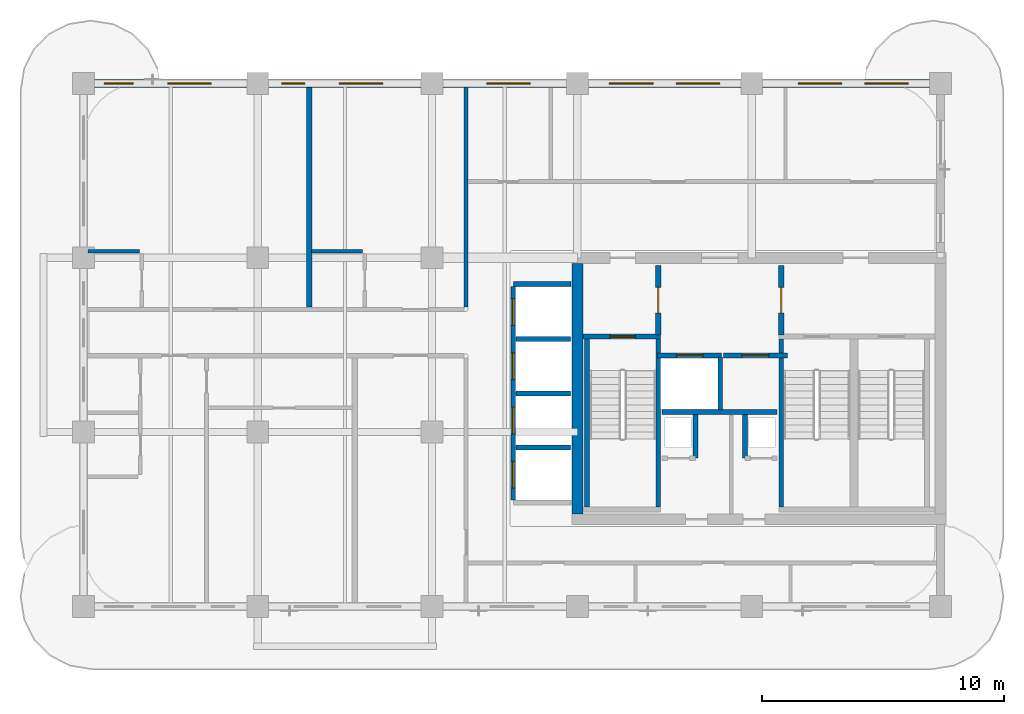
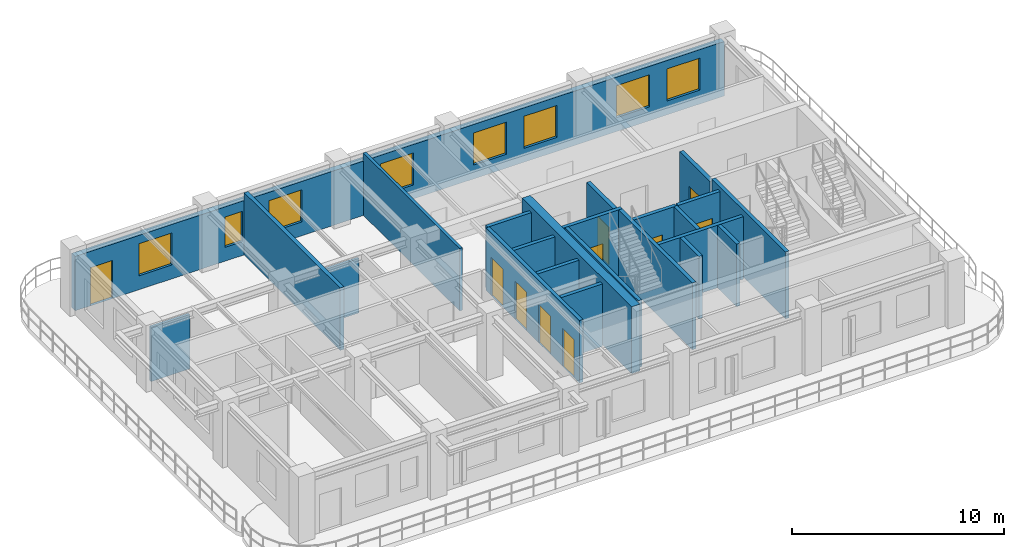
# One storey, part 4 of 7: 23 walls, 10 doors, 8 windows, 18 openings.
"""IFC4 building model written with IfcOpenShell, lengths in metres."""

from ifc_helpers import new_model, si_unit, derived_unit, direction, frame, frame_2d, origin, place, context, subcontext, project, spatial, rectangle, extrude, source, transform, mapped, material, layer, layer_set, type_object, type_shapes, element, fill, save


model = new_model("IFC4")

# Units and contexts
model_context = context("Model", 3, precision=1e-05, world=origin(), true_north=direction((0.0, 1.0)))
body_context = subcontext(model_context, "Body", "Model", "MODEL_VIEW")
ifc_project = project(units=[si_unit("LENGTHUNIT", "METRE"), si_unit("AREAUNIT", "SQUARE_METRE"), si_unit("VOLUMEUNIT", "CUBIC_METRE"), si_unit("PLANEANGLEUNIT", "RADIAN"), si_unit("MASSUNIT", "GRAM", prefix="KILO"), si_unit("THERMODYNAMICTEMPERATUREUNIT", "KELVIN"), si_unit("POWERUNIT", "WATT"), derived_unit("THERMALTRANSMITTANCEUNIT", [(si_unit("POWERUNIT", "WATT"), 1), (si_unit("AREAUNIT", "SQUARE_METRE"), -1), (si_unit("THERMODYNAMICTEMPERATUREUNIT", "KELVIN"), -1)])], contexts=[model_context])

# Site, building, storey
site_placement = place(None, origin())
site = spatial("IfcSite", under=ifc_project, at=site_placement, CompositionType="ELEMENT")
building_placement = place(site_placement, origin())
building = spatial("IfcBuilding", under=site, at=building_placement, Name="Zahravan Archway Hotel and Residences", CompositionType="ELEMENT")
storey_placement = place(building_placement, frame((0.0, 0.0, 240.39990234375)))
storey = spatial("IfcBuildingStorey", under=building, at=storey_placement, Name="L60", CompositionType="ELEMENT", Elevation=240.39990234375)

# Wall
ifc_material_1 = material(Name="Concrete C50/60", Category="concrete")
ifc_layer_1 = layer(ifc_material_1, 0.449951171875, Name="Concrete C50/60", Category="concrete")
ifc_layer_set_1 = layer_set([ifc_layer_1], Name="Concrete C50/60")
wall_type_1 = type_object("IfcWallType", Name="CW-CORE-450", PredefinedType="SHEAR", material=ifc_layer_set_1)
wall_1_placement = place(storey_placement, frame((34.800048828125, 3.824951171875, 0.0), z_axis=(0.0, 0.0, 1.0), x_axis=(0.0, 1.0, 0.0)))
element("IfcWall", 1, at=wall_1_placement, inside=storey, type_object=wall_type_1, Name="L60 Core A Shear W Wall 450 mm", PredefinedType="SHEAR", context=body_context, shape_type="SweptSolid", body=[
    extrude(rectangle(XDim=10.35009765625, YDim=0.449951171875, at=frame_2d((5.175048828125, 0.0))), origin(), (0.0, 0.0, 1.0), 3.85009765625),
])

# Wall, openings, door, windows
ifc_material_2 = material(Name="Agra Buff Sandstone & Insulated Backup", Category="masonry")
ifc_layer_2 = layer(ifc_material_2, 0.320068359375, Name="Agra Buff Sandstone & Insulated Backup", Category="masonry")
ifc_layer_set_2 = layer_set([ifc_layer_2], Name="Agra Buff Sandstone & Insulated Backup")
wall_type_2 = type_object("IfcWallType", Name="EW-SAND-320", PredefinedType="SOLIDWALL", material=ifc_layer_set_2)
wall_2_placement = place(storey_placement, frame((14.39990234375, 21.60009765625, 0.0), z_axis=(0.0, 0.0, 1.0), x_axis=(1.0, 0.0, 0.0)))
wall_2 = element("IfcWall", 2, at=wall_2_placement, inside=storey, type_object=wall_type_2, Name="L60 Exterior Sandstone Wall WA-N", PredefinedType="SOLIDWALL", context=body_context, shape_type="SweptSolid", body=[
    extrude(rectangle(XDim=35.400146484375, YDim=0.320068359375, at=frame_2d((17.7001953125, 0.0))), origin(), (0.0, 0.0, 1.0), 3.135009765625),
])
opening_1_placement = place(wall_2_placement, frame((0.85009765625, 0.0, 0.0)))
opening_1 = element("IfcOpeningElement", 3, at=opening_1_placement, cuts=wall_2, Name="Opening ED-BL1", PredefinedType="OPENING", context=body_context, shape_type="SweptSolid", body=[
    extrude(rectangle(XDim=1.199951171875, YDim=2.199951171875, at=frame_2d((0.60009765625, 1.10009765625))), frame((0.0, 0.169921875, 0.0), z_axis=(0.0, -1.0, 0.0), x_axis=(1.0, 0.0, 0.0)), (0.0, 0.0, 1.0), 0.340087890625),
])
opening_2_placement = place(wall_2_placement, frame((3.47509765625, 0.0, 0.800048828125)))
opening_2 = element("IfcOpeningElement", 4, at=opening_2_placement, cuts=wall_2, Name="Opening W-02", PredefinedType="OPENING", context=body_context, shape_type="SweptSolid", body=[
    extrude(rectangle(XDim=1.800048828125, YDim=1.85009765625, at=frame_2d((0.89990234375, 0.925048828125))), frame((0.0, 0.169921875, 0.0), z_axis=(0.0, -1.0, 0.0), x_axis=(1.0, 0.0, 0.0)), (0.0, 0.0, 1.0), 0.340087890625),
])
opening_3_placement = place(wall_2_placement, frame((8.180908203125, 0.0, 0.800048828125)))
opening_3 = element("IfcOpeningElement", 5, at=opening_3_placement, cuts=wall_2, Name="Opening W-04", PredefinedType="OPENING", context=body_context, shape_type="SweptSolid", body=[
    extrude(rectangle(XDim=0.949951171875, YDim=1.75, at=frame_2d((0.47509765625, 0.875))), frame((0.0, 0.169921875, 0.0), z_axis=(0.0, -1.0, 0.0), x_axis=(1.0, 0.0, 0.0)), (0.0, 0.0, 1.0), 0.340087890625),
])
opening_4_placement = place(wall_2_placement, frame((10.56396484375, 0.0, 0.800048828125)))
opening_4 = element("IfcOpeningElement", 6, at=opening_4_placement, cuts=wall_2, Name="Opening W-02", PredefinedType="OPENING", context=body_context, shape_type="SweptSolid", body=[
    extrude(rectangle(XDim=1.800048828125, YDim=1.85009765625, at=frame_2d((0.89990234375, 0.925048828125))), frame((0.0, 0.169921875, 0.0), z_axis=(0.0, -1.0, 0.0), x_axis=(1.0, 0.0, 0.0)), (0.0, 0.0, 1.0), 0.340087890625),
])
opening_5_placement = place(wall_2_placement, frame((16.65087890625, 0.0, 0.800048828125)))
opening_5 = element("IfcOpeningElement", 7, at=opening_5_placement, cuts=wall_2, Name="Opening W-02", PredefinedType="OPENING", context=body_context, shape_type="SweptSolid", body=[
    extrude(rectangle(XDim=1.800048828125, YDim=1.85009765625, at=frame_2d((0.89990234375, 0.925048828125))), frame((0.0, 0.169921875, 0.0), z_axis=(0.0, -1.0, 0.0), x_axis=(1.0, 0.0, 0.0)), (0.0, 0.0, 1.0), 0.340087890625),
])
opening_6_placement = place(wall_2_placement, frame((21.72509765625, 0.0, 0.800048828125)))
opening_6 = element("IfcOpeningElement", 8, at=opening_6_placement, cuts=wall_2, Name="Opening W-02", PredefinedType="OPENING", context=body_context, shape_type="SweptSolid", body=[
    extrude(rectangle(XDim=1.800048828125, YDim=1.85009765625, at=frame_2d((0.89990234375, 0.925048828125))), frame((0.0, 0.169921875, 0.0), z_axis=(0.0, -1.0, 0.0), x_axis=(1.0, 0.0, 0.0)), (0.0, 0.0, 1.0), 0.340087890625),
])
opening_7_placement = place(wall_2_placement, frame((24.47509765625, 0.0, 0.800048828125)))
opening_7 = element("IfcOpeningElement", 9, at=opening_7_placement, cuts=wall_2, Name="Opening W-02", PredefinedType="OPENING", context=body_context, shape_type="SweptSolid", body=[
    extrude(rectangle(XDim=1.800048828125, YDim=1.85009765625, at=frame_2d((0.89990234375, 0.925048828125))), frame((0.0, 0.169921875, 0.0), z_axis=(0.0, -1.0, 0.0), x_axis=(1.0, 0.0, 0.0)), (0.0, 0.0, 1.0), 0.340087890625),
])
opening_8_placement = place(wall_2_placement, frame((29.531005859375, 0.0, 0.800048828125)))
opening_8 = element("IfcOpeningElement", 10, at=opening_8_placement, cuts=wall_2, Name="Opening W-02", PredefinedType="OPENING", context=body_context, shape_type="SweptSolid", body=[
    extrude(rectangle(XDim=1.800048828125, YDim=1.85009765625, at=frame_2d((0.89990234375, 0.925048828125))), frame((0.0, 0.169921875, 0.0), z_axis=(0.0, -1.0, 0.0), x_axis=(1.0, 0.0, 0.0)), (0.0, 0.0, 1.0), 0.340087890625),
])
opening_9_placement = place(wall_2_placement, frame((32.277099609375, 0.0, 0.800048828125)))
opening_9 = element("IfcOpeningElement", 11, at=opening_9_placement, cuts=wall_2, Name="Opening W-02", PredefinedType="OPENING", context=body_context, shape_type="SweptSolid", body=[
    extrude(rectangle(XDim=1.800048828125, YDim=1.85009765625, at=frame_2d((0.89990234375, 0.925048828125))), frame((0.0, 0.169921875, 0.0), z_axis=(0.0, -1.0, 0.0), x_axis=(1.0, 0.0, 0.0)), (0.0, 0.0, 1.0), 0.340087890625),
])
ifc_material_3 = material(Name="Bronze-Anodized Glazed Aluminium", Category="aluminium")
door_type_1 = type_object("IfcDoorType", Name="ED-BALC-1200", OperationType="SLIDING_TO_LEFT", PredefinedType="DOOR", material=ifc_material_3)
shared_shape_1 = source(origin(), body_context, "Body", "SweptSolid", [
    extrude(rectangle(XDim=1.199951171875, YDim=2.199951171875, at=frame_2d((0.60009765625, 1.10009765625))), frame((0.0, 0.02490234375, 0.0), z_axis=(0.0, -1.0, 0.0), x_axis=(1.0, 0.0, 0.0)), (0.0, 0.0, 1.0), 0.050048828125),
])
type_shapes(door_type_1, [shared_shape_1])
door_1_placement = place(opening_1_placement, origin())
door_1 = element("IfcDoor", 12, at=door_1_placement, inside=storey, type_object=door_type_1, Name="L60 Outdoor Access Sliding Door (SLB-BAL-L60-WA)", OperationType="SLIDING_TO_LEFT", OverallHeight=2.199951171875, OverallWidth=1.199951171875, PredefinedType="DOOR", context=body_context, shape_type="MappedRepresentation", body=[
    mapped(shared_shape_1, transform((0.0, 0.0, 0.0), scale=1.0)),
])
fill(opening_1, door_1)
ifc_material_4 = material(Name="Bronze-Anodized Thermal-Break Aluminium & Low-E Glass", Category="aluminium")
window_type_1 = type_object("IfcWindowType", Name="WIN-NAR-950", PartitioningType="SINGLE_PANEL", PredefinedType="WINDOW", material=ifc_material_4)
shared_shape_2 = source(origin(), body_context, "Body", "SweptSolid", [
    extrude(rectangle(XDim=0.949951171875, YDim=1.75, at=frame_2d((0.47509765625, 0.875))), frame((0.0, 0.030029296875, 0.0), z_axis=(0.0, -1.0, 0.0), x_axis=(1.0, 0.0, 0.0)), (0.0, 0.0, 1.0), 0.06005859375),
])
type_shapes(window_type_1, [shared_shape_2])
window_1_placement = place(opening_3_placement, origin())
window_1 = element("IfcWindow", 13, at=window_1_placement, inside=storey, type_object=window_type_1, Name="L60 Loggia Window 12", OverallHeight=1.75, OverallWidth=0.949951171875, PartitioningType="SINGLE_PANEL", PredefinedType="WINDOW", context=body_context, shape_type="MappedRepresentation", body=[
    mapped(shared_shape_2, transform((0.0, 0.0, 0.0), scale=1.0)),
])
fill(opening_3, window_1)
window_type_2 = type_object("IfcWindowType", Name="WIN-TWR-1800", PartitioningType="DOUBLE_PANEL_VERTICAL", PredefinedType="WINDOW", material=ifc_material_4)
shared_shape_3 = source(origin(), body_context, "Body", "SweptSolid", [
    extrude(rectangle(XDim=1.800048828125, YDim=1.85009765625, at=frame_2d((0.89990234375, 0.925048828125))), frame((0.0, 0.030029296875, 0.0), z_axis=(0.0, -1.0, 0.0), x_axis=(1.0, 0.0, 0.0)), (0.0, 0.0, 1.0), 0.06005859375),
])
type_shapes(window_type_2, [shared_shape_3])
window_2_placement = place(opening_2_placement, origin())
window_2 = element("IfcWindow", 14, at=window_2_placement, inside=storey, type_object=window_type_2, Name="L60 Loggia Window 11", OverallHeight=1.85009765625, OverallWidth=1.800048828125, PartitioningType="DOUBLE_PANEL_VERTICAL", PredefinedType="WINDOW", context=body_context, shape_type="MappedRepresentation", body=[
    mapped(shared_shape_3, transform((0.0, 0.0, 0.0), scale=1.0)),
])
fill(opening_2, window_2)
window_3_placement = place(opening_4_placement, origin())
window_3 = element("IfcWindow", 15, at=window_3_placement, inside=storey, type_object=window_type_2, Name="L60 Loggia Window 13", OverallHeight=1.85009765625, OverallWidth=1.800048828125, PartitioningType="DOUBLE_PANEL_VERTICAL", PredefinedType="WINDOW", context=body_context, shape_type="MappedRepresentation", body=[
    mapped(shared_shape_3, transform((0.0, 0.0, 0.0), scale=1.0)),
])
fill(opening_4, window_3)
window_4_placement = place(opening_5_placement, origin())
window_4 = element("IfcWindow", 16, at=window_4_placement, inside=storey, type_object=window_type_2, Name="L60 Loggia Window 14", OverallHeight=1.85009765625, OverallWidth=1.800048828125, PartitioningType="DOUBLE_PANEL_VERTICAL", PredefinedType="WINDOW", context=body_context, shape_type="MappedRepresentation", body=[
    mapped(shared_shape_3, transform((0.0, 0.0, 0.0), scale=1.0)),
])
fill(opening_5, window_4)
window_5_placement = place(opening_6_placement, origin())
window_5 = element("IfcWindow", 17, at=window_5_placement, inside=storey, type_object=window_type_2, Name="L60 Loggia Window 15", OverallHeight=1.85009765625, OverallWidth=1.800048828125, PartitioningType="DOUBLE_PANEL_VERTICAL", PredefinedType="WINDOW", context=body_context, shape_type="MappedRepresentation", body=[
    mapped(shared_shape_3, transform((0.0, 0.0, 0.0), scale=1.0)),
])
fill(opening_6, window_5)
window_6_placement = place(opening_7_placement, origin())
window_6 = element("IfcWindow", 18, at=window_6_placement, inside=storey, type_object=window_type_2, Name="L60 Loggia Window 16", OverallHeight=1.85009765625, OverallWidth=1.800048828125, PartitioningType="DOUBLE_PANEL_VERTICAL", PredefinedType="WINDOW", context=body_context, shape_type="MappedRepresentation", body=[
    mapped(shared_shape_3, transform((0.0, 0.0, 0.0), scale=1.0)),
])
fill(opening_7, window_6)
window_7_placement = place(opening_8_placement, origin())
window_7 = element("IfcWindow", 19, at=window_7_placement, inside=storey, type_object=window_type_2, Name="L60 Loggia Window 17", OverallHeight=1.85009765625, OverallWidth=1.800048828125, PartitioningType="DOUBLE_PANEL_VERTICAL", PredefinedType="WINDOW", context=body_context, shape_type="MappedRepresentation", body=[
    mapped(shared_shape_3, transform((0.0, 0.0, 0.0), scale=1.0)),
])
fill(opening_8, window_7)
window_8_placement = place(opening_9_placement, origin())
window_8 = element("IfcWindow", 20, at=window_8_placement, inside=storey, type_object=window_type_2, Name="L60 Loggia Window 18", OverallHeight=1.85009765625, OverallWidth=1.800048828125, PartitioningType="DOUBLE_PANEL_VERTICAL", PredefinedType="WINDOW", context=body_context, shape_type="MappedRepresentation", body=[
    mapped(shared_shape_3, transform((0.0, 0.0, 0.0), scale=1.0)),
])
fill(opening_9, window_8)

# Wall, opening, door
ifc_material_5 = material(Name="Fire-Rated Gypsum & Concrete Block", Category="concrete")
ifc_layer_3 = layer(ifc_material_5, 0.219970703125, Name="Fire-Rated Gypsum & Concrete Block", Category="concrete")
ifc_layer_set_3 = layer_set([ifc_layer_3], Name="Fire-Rated Gypsum & Concrete Block")
wall_type_3 = type_object("IfcWallType", Name="PW-COMP-220", PredefinedType="PARTITIONING", material=ifc_layer_set_3)
wall_3_placement = place(storey_placement, frame((38.139892578125, 11.219970703125, 0.0), z_axis=(0.0, 0.0, 1.0), x_axis=(0.0, 1.0, 0.0)))
wall_3 = element("IfcWall", 21, at=wall_3_placement, inside=storey, type_object=wall_type_3, Name="L60 Partition CA-LOBW", PredefinedType="PARTITIONING", context=body_context, shape_type="SweptSolid", body=[
    extrude(rectangle(XDim=2.860107421875, YDim=0.219970703125, at=frame_2d((1.43017578125, 0.0))), origin(), (0.0, 0.0, 1.0), 3.60009765625),
])
opening_10_placement = place(wall_3_placement, frame((0.905029296875, 0.0, 0.0)))
opening_10 = element("IfcOpeningElement", 22, at=opening_10_placement, cuts=wall_3, Name="Opening FD-L2", PredefinedType="OPENING", context=body_context, shape_type="SweptSolid", body=[
    extrude(rectangle(XDim=1.050048828125, YDim=2.14990234375, at=frame_2d((0.52490234375, 1.074951171875))), frame((0.0, 0.1201171875, 0.0), z_axis=(0.0, -1.0, 0.0), x_axis=(1.0, 0.0, 0.0)), (0.0, 0.0, 1.0), 0.239990234375),
])
ifc_material_6 = material(Name="Fire-Rated Painted Steel", Category="steel")
door_type_2 = type_object("IfcDoorType", Name="FD-LOBBY-1100", OperationType="NOTDEFINED", PredefinedType="DOOR", material=ifc_material_6)
shared_shape_4 = source(origin(), body_context, "Body", "SweptSolid", [
    extrude(rectangle(XDim=1.050048828125, YDim=2.14990234375, at=frame_2d((0.52490234375, 1.074951171875))), frame((0.0, 0.02490234375, 0.0), z_axis=(0.0, -1.0, 0.0), x_axis=(1.0, 0.0, 0.0)), (0.0, 0.0, 1.0), 0.050048828125),
])
type_shapes(door_type_2, [shared_shape_4])
door_2_placement = place(opening_10_placement, origin())
door_2 = element("IfcDoor", 23, at=door_2_placement, inside=storey, type_object=door_type_2, Name="L60 Core A West Stair to FSAE Lobby Door", OperationType="SINGLE_SWING_RIGHT", OverallHeight=2.14990234375, OverallWidth=1.050048828125, PredefinedType="DOOR", context=body_context, shape_type="MappedRepresentation", body=[
    mapped(shared_shape_4, transform((0.0, 0.0, 0.0), scale=1.0)),
])
fill(opening_10, door_2)

wall_4_placement = place(storey_placement, frame((43.219970703125, 11.219970703125, 0.0), z_axis=(0.0, 0.0, 1.0), x_axis=(0.0, 1.0, 0.0)))
wall_4 = element("IfcWall", 24, at=wall_4_placement, inside=storey, type_object=wall_type_3, Name="L60 Partition CA-LOBE", PredefinedType="PARTITIONING", context=body_context, shape_type="SweptSolid", body=[
    extrude(rectangle(XDim=2.860107421875, YDim=0.219970703125, at=frame_2d((1.43017578125, 0.0))), origin(), (0.0, 0.0, 1.0), 3.60009765625),
])
opening_11_placement = place(wall_4_placement, frame((0.905029296875, 0.0, 0.0)))
opening_11 = element("IfcOpeningElement", 25, at=opening_11_placement, cuts=wall_4, Name="Opening FD-L2", PredefinedType="OPENING", context=body_context, shape_type="SweptSolid", body=[
    extrude(rectangle(XDim=1.050048828125, YDim=2.14990234375, at=frame_2d((0.52490234375, 1.074951171875))), frame((0.0, 0.1201171875, 0.0), z_axis=(0.0, -1.0, 0.0), x_axis=(1.0, 0.0, 0.0)), (0.0, 0.0, 1.0), 0.239990234375),
])
door_3_placement = place(opening_11_placement, origin())
door_3 = element("IfcDoor", 26, at=door_3_placement, inside=storey, type_object=door_type_2, Name="L60 Core A East Stair to FSAE Lobby Door", OperationType="SINGLE_SWING_LEFT", OverallHeight=2.14990234375, OverallWidth=1.050048828125, PredefinedType="DOOR", context=body_context, shape_type="MappedRepresentation", body=[
    mapped(shared_shape_4, transform((0.0, 0.0, 0.0), scale=1.0)),
])
fill(opening_11, door_3)

# Walls
wall_5_placement = place(storey_placement, frame((23.719970703125, 12.360107421875, 0.0), z_axis=(0.0, 0.0, 1.0), x_axis=(0.0, 1.0, 0.0)))
element("IfcWall", 27, at=wall_5_placement, inside=storey, type_object=wall_type_3, Name="L60 Partition WAN-N3", PredefinedType="PARTITIONING", context=body_context, shape_type="SweptSolid", body=[
    extrude(rectangle(XDim=9.07177734375, YDim=0.219970703125, at=frame_2d((4.535888671875, 0.0))), origin(), (0.0, 0.0, 1.0), 3.60009765625),
])
ifc_layer_4 = layer(ifc_material_5, 0.159912109375, Name="Fire-Rated Gypsum & Concrete Block", Category="concrete")
ifc_layer_set_4 = layer_set([ifc_layer_4], Name="Fire-Rated Gypsum & Concrete Block")
wall_type_4 = type_object("IfcWallType", Name="PW-CORR-160", PredefinedType="PARTITIONING", material=ifc_layer_set_4)
wall_6_placement = place(storey_placement, frame((30.199951171875, 12.360107421875, 0.0), z_axis=(0.0, 0.0, 1.0), x_axis=(0.0, 1.0, 0.0)))
element("IfcWall", 28, at=wall_6_placement, inside=storey, type_object=wall_type_4, Name="L60 Partition WA-FW", PredefinedType="PARTITIONING", context=body_context, shape_type="SweptSolid", body=[
    extrude(rectangle(XDim=9.099853515625, YDim=0.159912109375, at=frame_2d((4.5498046875, 0.0))), origin(), (0.0, 0.0, 1.0), 3.60009765625),
])
ifc_layer_5 = layer(ifc_material_5, 0.199951171875, Name="Fire-Rated Gypsum & Concrete Block", Category="concrete")
ifc_layer_set_5 = layer_set([ifc_layer_5], Name="Fire-Rated Gypsum & Concrete Block")
wall_type_5 = type_object("IfcWallType", Name="PW-SHAFT-200", PredefinedType="PARTITIONING", material=ifc_layer_set_5)
wall_7_placement = place(storey_placement, frame((38.300048828125, 8.030029296875, 0.0), z_axis=(0.0, 0.0, 1.0), x_axis=(1.0, 0.0, 0.0)))
element("IfcWall", 29, at=wall_7_placement, inside=storey, type_object=wall_type_5, Name="L60 Partition CA-FLS", PredefinedType="PARTITIONING", context=body_context, shape_type="SweptSolid", body=[
    extrude(rectangle(XDim=4.739990234375, YDim=0.199951171875, at=frame_2d((2.3701171875, 0.0))), origin(), (0.0, 0.0, 1.0), 3.60009765625),
])
wall_8_placement = place(storey_placement, frame((40.699951171875, 8.1201171875, 0.0), z_axis=(0.0, 0.0, 1.0), x_axis=(0.0, 1.0, 0.0)))
element("IfcWall", 30, at=wall_8_placement, inside=storey, type_object=wall_type_5, Name="L60 Partition CA-FLM", PredefinedType="PARTITIONING", context=body_context, shape_type="SweptSolid", body=[
    extrude(rectangle(XDim=2.179931640625, YDim=0.199951171875, at=frame_2d((1.08984375, 0.0))), origin(), (0.0, 0.0, 1.0), 3.60009765625),
])
for number, where, z_axis, x_axis, name in (
    (31, (39.679931640625, 6.1298828125, 0.0), (0.0, 0.0, 1.0), (0.0, 1.0, 0.0), "L60 Partition CA-SMKE"),
    (32, (41.719970703125, 6.1298828125, 0.0), (0.0, 0.0, 1.0), (0.0, 1.0, 0.0), "L60 Partition CA-MEPW"),
):
    element("IfcWall", number, at=place(storey_placement, frame(where, z_axis=z_axis, x_axis=x_axis)), inside=storey, type_object=wall_type_5, Name=name, PredefinedType="PARTITIONING", context=body_context, shape_type="SweptSolid", body=[
        extrude(rectangle(XDim=1.7900390625, YDim=0.199951171875, at=frame_2d((0.89501953125, 0.0))), origin(), (0.0, 0.0, 1.0), 3.60009765625),
    ])
wall_9_placement = place(storey_placement, frame((32.159912109375, 13.320068359375, 0.0), z_axis=(0.0, 0.0, 1.0), x_axis=(1.0, 0.0, 0.0)))
element("IfcWall", 33, at=wall_9_placement, inside=storey, type_object=wall_type_5, Name="L60 Partition B3-N", PredefinedType="PARTITIONING", context=body_context, shape_type="SweptSolid", body=[
    extrude(rectangle(XDim=2.385009765625, YDim=0.199951171875, at=frame_2d((1.1923828125, 0.0))), origin(), (0.0, 0.0, 1.0), 3.60009765625),
])

# Wall, openings, doors
wall_10_placement = place(storey_placement, frame((32.14990234375, 4.389892578125, 0.0), z_axis=(0.0, 0.0, 1.0), x_axis=(0.0, 1.0, 0.0)))
wall_10 = element("IfcWall", 34, at=wall_10_placement, inside=storey, type_object=wall_type_5, Name="L60 Partition B3-W", PredefinedType="PARTITIONING", context=body_context, shape_type="SweptSolid", body=[
    extrude(rectangle(XDim=8.820068359375, YDim=0.199951171875, at=frame_2d((4.41015625, 0.0))), origin(), (0.0, 0.0, 1.0), 3.60009765625),
])
opening_12_placement = place(wall_10_placement, frame((0.5, 0.0, 0.0)))
opening_12 = element("IfcOpeningElement", 35, at=opening_12_placement, cuts=wall_10, Name="Opening LD", PredefinedType="OPENING", context=body_context, shape_type="SweptSolid", body=[
    extrude(rectangle(XDim=1.10009765625, YDim=2.199951171875, at=frame_2d((0.550048828125, 1.10009765625))), frame((0.0, 0.10986328125, 0.0), z_axis=(0.0, -1.0, 0.0), x_axis=(1.0, 0.0, 0.0)), (0.0, 0.0, 1.0), 0.219970703125),
])
opening_13_placement = place(wall_10_placement, frame((2.739990234375, 0.0, 0.0)))
opening_13 = element("IfcOpeningElement", 36, at=opening_13_placement, cuts=wall_10, Name="Opening LD", PredefinedType="OPENING", context=body_context, shape_type="SweptSolid", body=[
    extrude(rectangle(XDim=1.10009765625, YDim=2.199951171875, at=frame_2d((0.550048828125, 1.10009765625))), frame((0.0, 0.10986328125, 0.0), z_axis=(0.0, -1.0, 0.0), x_axis=(1.0, 0.0, 0.0)), (0.0, 0.0, 1.0), 0.219970703125),
])
opening_14_placement = place(wall_10_placement, frame((4.97998046875, 0.0, 0.0)))
opening_14 = element("IfcOpeningElement", 37, at=opening_14_placement, cuts=wall_10, Name="Opening LD", PredefinedType="OPENING", context=body_context, shape_type="SweptSolid", body=[
    extrude(rectangle(XDim=1.10009765625, YDim=2.199951171875, at=frame_2d((0.550048828125, 1.10009765625))), frame((0.0, 0.10986328125, 0.0), z_axis=(0.0, -1.0, 0.0), x_axis=(1.0, 0.0, 0.0)), (0.0, 0.0, 1.0), 0.219970703125),
])
opening_15_placement = place(wall_10_placement, frame((7.219970703125, 0.0, 0.0)))
opening_15 = element("IfcOpeningElement", 38, at=opening_15_placement, cuts=wall_10, Name="Opening LD", PredefinedType="OPENING", context=body_context, shape_type="SweptSolid", body=[
    extrude(rectangle(XDim=1.10009765625, YDim=2.199951171875, at=frame_2d((0.550048828125, 1.10009765625))), frame((0.0, 0.10986328125, 0.0), z_axis=(0.0, -1.0, 0.0), x_axis=(1.0, 0.0, 0.0)), (0.0, 0.0, 1.0), 0.219970703125),
])
ifc_material_7 = material(Name="Brushed Stainless Steel", Category="steel")
door_type_3 = type_object("IfcDoorType", Name="DR-LIFT-LD", OperationType="SLIDING_TO_LEFT", PredefinedType="DOOR", material=ifc_material_7)
shared_shape_5 = source(origin(), body_context, "Body", "SweptSolid", [
    extrude(rectangle(XDim=1.10009765625, YDim=2.199951171875, at=frame_2d((0.550048828125, 1.10009765625))), frame((0.0, 0.02490234375, 0.0), z_axis=(0.0, -1.0, 0.0), x_axis=(1.0, 0.0, 0.0)), (0.0, 0.0, 1.0), 0.050048828125),
])
type_shapes(door_type_3, [shared_shape_5])
door_4_placement = place(opening_12_placement, origin())
door_4 = element("IfcDoor", 39, at=door_4_placement, inside=storey, type_object=door_type_3, Name="L60 Lift LP-7 Sliding Landing Door", OperationType="SLIDING_TO_LEFT", OverallHeight=2.199951171875, OverallWidth=1.10009765625, PredefinedType="DOOR", context=body_context, shape_type="MappedRepresentation", body=[
    mapped(shared_shape_5, transform((0.0, 0.0, 0.0), scale=1.0)),
])
fill(opening_12, door_4)
door_5_placement = place(opening_13_placement, origin())
door_5 = element("IfcDoor", 40, at=door_5_placement, inside=storey, type_object=door_type_3, Name="L60 Lift LP-8 Sliding Landing Door", OperationType="SLIDING_TO_LEFT", OverallHeight=2.199951171875, OverallWidth=1.10009765625, PredefinedType="DOOR", context=body_context, shape_type="MappedRepresentation", body=[
    mapped(shared_shape_5, transform((0.0, 0.0, 0.0), scale=1.0)),
])
fill(opening_13, door_5)
door_6_placement = place(opening_14_placement, origin())
door_6 = element("IfcDoor", 41, at=door_6_placement, inside=storey, type_object=door_type_3, Name="L60 Lift LP-9 Sliding Landing Door", OperationType="SLIDING_TO_LEFT", OverallHeight=2.199951171875, OverallWidth=1.10009765625, PredefinedType="DOOR", context=body_context, shape_type="MappedRepresentation", body=[
    mapped(shared_shape_5, transform((0.0, 0.0, 0.0), scale=1.0)),
])
fill(opening_14, door_6)
door_7_placement = place(opening_15_placement, origin())
door_7 = element("IfcDoor", 42, at=door_7_placement, inside=storey, type_object=door_type_3, Name="L60 Lift LP-10 Sliding Landing Door", OperationType="SLIDING_TO_LEFT", OverallHeight=2.199951171875, OverallWidth=1.10009765625, PredefinedType="DOOR", context=body_context, shape_type="MappedRepresentation", body=[
    mapped(shared_shape_5, transform((0.0, 0.0, 0.0), scale=1.0)),
])
fill(opening_15, door_7)

# Walls
for number, where, z_axis, x_axis, name in (
    (43, (32.260009765625, 6.56005859375, 0.0), (0.0, 0.0, 1.0), (1.0, 0.0, 0.0), "L60 Partition B3-D"),
    (44, (32.260009765625, 8.800048828125, 0.0), (0.0, 0.0, 1.0), (1.0, 0.0, 0.0), "L60 Partition B3-D"),
    (45, (32.260009765625, 11.0400390625, 0.0), (0.0, 0.0, 1.0), (1.0, 0.0, 0.0), "L60 Partition B3-D"),
):
    element("IfcWall", number, at=place(storey_placement, frame(where, z_axis=z_axis, x_axis=x_axis)), inside=storey, type_object=wall_type_5, Name=name, PredefinedType="PARTITIONING", context=body_context, shape_type="SweptSolid", body=[
        extrude(rectangle(XDim=2.2548828125, YDim=0.199951171875, at=frame_2d((1.12744140625, 0.0))), origin(), (0.0, 0.0, 1.0), 3.60009765625),
    ])

# Wall, opening, door
wall_11_placement = place(storey_placement, frame((38.1201171875, 10.3701171875, 0.0), z_axis=(0.0, 0.0, 1.0), x_axis=(1.0, 0.0, 0.0)))
wall_11 = element("IfcWall", 46, at=wall_11_placement, inside=storey, type_object=wall_type_5, Name="L60 Lift FL-1 Front Wall", PredefinedType="PARTITIONING", context=body_context, shape_type="SweptSolid", body=[
    extrude(rectangle(XDim=2.639892578125, YDim=0.199951171875, at=frame_2d((1.31982421875, 0.0))), origin(), (0.0, 0.0, 1.0), 3.60009765625),
])
opening_16_placement = place(wall_11_placement, frame((0.77001953125, 0.0, 0.0)))
opening_16 = element("IfcOpeningElement", 47, at=opening_16_placement, cuts=wall_11, Name="Opening LD", PredefinedType="OPENING", context=body_context, shape_type="SweptSolid", body=[
    extrude(rectangle(XDim=1.10009765625, YDim=2.199951171875, at=frame_2d((0.550048828125, 1.10009765625))), frame((0.0, 0.10986328125, 0.0), z_axis=(0.0, -1.0, 0.0), x_axis=(1.0, 0.0, 0.0)), (0.0, 0.0, 1.0), 0.219970703125),
])
door_8_placement = place(opening_16_placement, origin())
door_8 = element("IfcDoor", 48, at=door_8_placement, inside=storey, type_object=door_type_3, Name="L60 Lift FL-1 Sliding Landing Door", OperationType="SLIDING_TO_LEFT", OverallHeight=2.199951171875, OverallWidth=1.10009765625, PredefinedType="DOOR", context=body_context, shape_type="MappedRepresentation", body=[
    mapped(shared_shape_5, transform((0.0, 0.0, 0.0), scale=1.0)),
])
fill(opening_16, door_8)

wall_12_placement = place(storey_placement, frame((40.840087890625, 10.3701171875, 0.0), z_axis=(0.0, 0.0, 1.0), x_axis=(1.0, 0.0, 0.0)))
wall_12 = element("IfcWall", 49, at=wall_12_placement, inside=storey, type_object=wall_type_5, Name="L60 Lift FL-2 Front Wall", PredefinedType="PARTITIONING", context=body_context, shape_type="SweptSolid", body=[
    extrude(rectangle(XDim=2.639892578125, YDim=0.199951171875, at=frame_2d((1.31982421875, 0.0))), origin(), (0.0, 0.0, 1.0), 3.60009765625),
])
opening_17_placement = place(wall_12_placement, frame((0.77001953125, 0.0, 0.0)))
opening_17 = element("IfcOpeningElement", 50, at=opening_17_placement, cuts=wall_12, Name="Opening LD", PredefinedType="OPENING", context=body_context, shape_type="SweptSolid", body=[
    extrude(rectangle(XDim=1.10009765625, YDim=2.199951171875, at=frame_2d((0.550048828125, 1.10009765625))), frame((0.0, 0.10986328125, 0.0), z_axis=(0.0, -1.0, 0.0), x_axis=(1.0, 0.0, 0.0)), (0.0, 0.0, 1.0), 0.219970703125),
])
door_9_placement = place(opening_17_placement, origin())
door_9 = element("IfcDoor", 51, at=door_9_placement, inside=storey, type_object=door_type_3, Name="L60 Lift FL-2 Sliding Landing Door", OperationType="SLIDING_TO_LEFT", OverallHeight=2.199951171875, OverallWidth=1.10009765625, PredefinedType="DOOR", context=body_context, shape_type="MappedRepresentation", body=[
    mapped(shared_shape_5, transform((0.0, 0.0, 0.0), scale=1.0)),
])
fill(opening_17, door_9)

# Walls
ifc_material_8 = material(Name="Moisture-Resistant Blockwork", Category="masonry")
ifc_layer_6 = layer(ifc_material_8, 0.139892578125, Name="Moisture-Resistant Blockwork", Category="masonry")
ifc_layer_set_6 = layer_set([ifc_layer_6], Name="Moisture-Resistant Blockwork")
wall_type_6 = type_object("IfcWallType", Name="PW-WET-140", PredefinedType="PARTITIONING", material=ifc_layer_set_6)
for number, where, z_axis, x_axis, name in (
    (52, (14.590087890625, 14.669921875, 0.0), (0.0, 0.0, 1.0), (1.0, 0.0, 0.0), "L60 Partition HKB-H85"),
    (53, (23.81005859375, 14.669921875, 0.0), (0.0, 0.0, 1.0), (1.0, 0.0, 0.0), "L60 Partition HKB-H86"),
):
    element("IfcWall", number, at=place(storey_placement, frame(where, z_axis=z_axis, x_axis=x_axis)), inside=storey, type_object=wall_type_6, Name=name, PredefinedType="PARTITIONING", context=body_context, shape_type="SweptSolid", body=[
        extrude(rectangle(XDim=2.119873046875, YDim=0.139892578125, at=frame_2d((1.06005859375, 0.0))), origin(), (0.0, 0.0, 1.0), 3.135009765625),
    ])
ifc_layer_7 = layer(ifc_material_1, 0.199951171875, Name="Concrete C50/60", Category="concrete")
ifc_layer_set_7 = layer_set([ifc_layer_7], Name="Concrete C50/60")
wall_type_7 = type_object("IfcWallType", Name="SW-STAIR-200", PredefinedType="SHEAR", material=ifc_layer_set_7)
for number, where, z_axis, x_axis, name in (
    (54, (35.199951171875, 4.10009765625, 0.0), (0.0, 0.0, 1.0), (0.0, 1.0, 0.0), "L60 Stairwell RC Wall CA-SA1W"),
    (55, (38.139892578125, 4.10009765625, 0.0), (0.0, 0.0, 1.0), (0.0, 1.0, 0.0), "L60 Stairwell RC Wall CA-SA1E"),
):
    element("IfcWall", number, at=place(storey_placement, frame(where, z_axis=z_axis, x_axis=x_axis)), inside=storey, type_object=wall_type_7, Name=name, PredefinedType="SHEAR", context=body_context, shape_type="SweptSolid", body=[
        extrude(rectangle(XDim=6.949951171875, YDim=0.199951171875, at=frame_2d((3.47509765625, 0.0))), origin(), (0.0, 0.0, 1.0), 3.85009765625),
    ])

# Wall, opening, door
wall_13_placement = place(storey_placement, frame((35.02490234375, 11.14990234375, 0.0), z_axis=(0.0, 0.0, 1.0), x_axis=(1.0, 0.0, 0.0)))
wall_13 = element("IfcWall", 56, at=wall_13_placement, inside=storey, type_object=wall_type_7, Name="L60 Stairwell RC Wall CA-SA1N", PredefinedType="SHEAR", context=body_context, shape_type="SweptSolid", body=[
    extrude(rectangle(XDim=3.215087890625, YDim=0.199951171875, at=frame_2d((1.607421875, 0.0))), origin(), (0.0, 0.0, 1.0), 3.85009765625),
])
opening_18_placement = place(wall_13_placement, frame((1.1201171875, 0.0, 0.0)))
opening_18 = element("IfcOpeningElement", 57, at=opening_18_placement, cuts=wall_13, Name="Opening FD-S1", PredefinedType="OPENING", context=body_context, shape_type="SweptSolid", body=[
    extrude(rectangle(XDim=1.050048828125, YDim=2.199951171875, at=frame_2d((0.52490234375, 1.10009765625))), frame((0.0, 0.10986328125, 0.0), z_axis=(0.0, -1.0, 0.0), x_axis=(1.0, 0.0, 0.0)), (0.0, 0.0, 1.0), 0.219970703125),
])
door_type_4 = type_object("IfcDoorType", Name="FD-STAIR-1100", OperationType="NOTDEFINED", PredefinedType="DOOR", material=ifc_material_6)
shared_shape_6 = source(origin(), body_context, "Body", "SweptSolid", [
    extrude(rectangle(XDim=1.050048828125, YDim=2.199951171875, at=frame_2d((0.52490234375, 1.10009765625))), frame((0.0, 0.02490234375, 0.0), z_axis=(0.0, -1.0, 0.0), x_axis=(1.0, 0.0, 0.0)), (0.0, 0.0, 1.0), 0.050048828125),
])
type_shapes(door_type_4, [shared_shape_6])
door_10_placement = place(opening_18_placement, origin())
door_10 = element("IfcDoor", 58, at=door_10_placement, inside=storey, type_object=door_type_4, Name="L60 Stair ST-A1 Door", OperationType="SINGLE_SWING_LEFT", OverallHeight=2.199951171875, OverallWidth=1.050048828125, PredefinedType="DOOR", context=body_context, shape_type="MappedRepresentation", body=[
    mapped(shared_shape_6, transform((0.0, 0.0, 0.0), scale=1.0)),
])
fill(opening_18, door_10)

# Wall
wall_14_placement = place(storey_placement, frame((43.219970703125, 4.10009765625, 0.0), z_axis=(0.0, 0.0, 1.0), x_axis=(0.0, 1.0, 0.0)))
element("IfcWall", 59, at=wall_14_placement, inside=storey, type_object=wall_type_7, Name="L60 Stairwell RC Wall CA-SA2W", PredefinedType="SHEAR", context=body_context, shape_type="SweptSolid", body=[
    extrude(rectangle(XDim=6.949951171875, YDim=0.199951171875, at=frame_2d((3.47509765625, 0.0))), origin(), (0.0, 0.0, 1.0), 3.85009765625),
])

save(model, "model.ifc")
